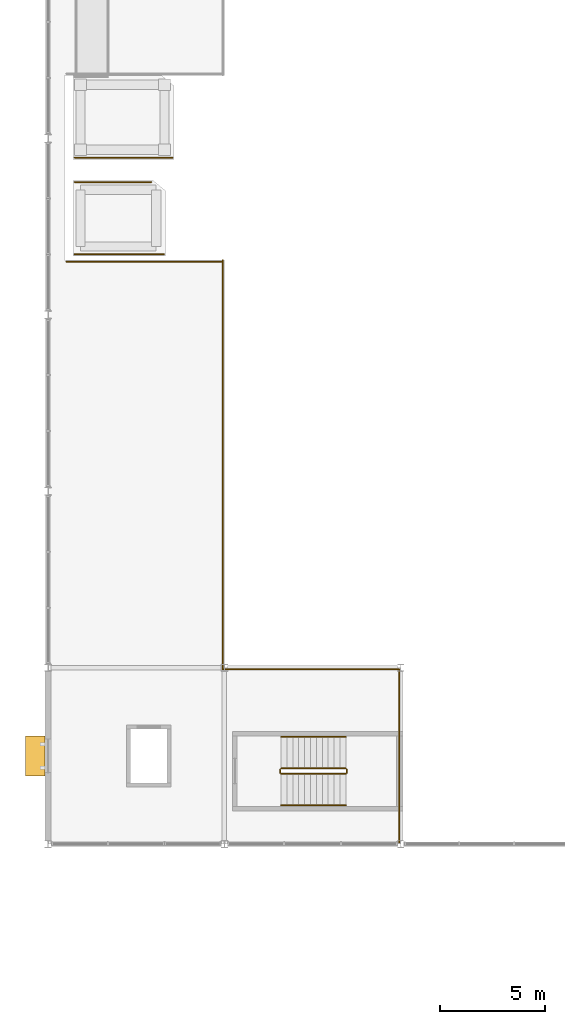
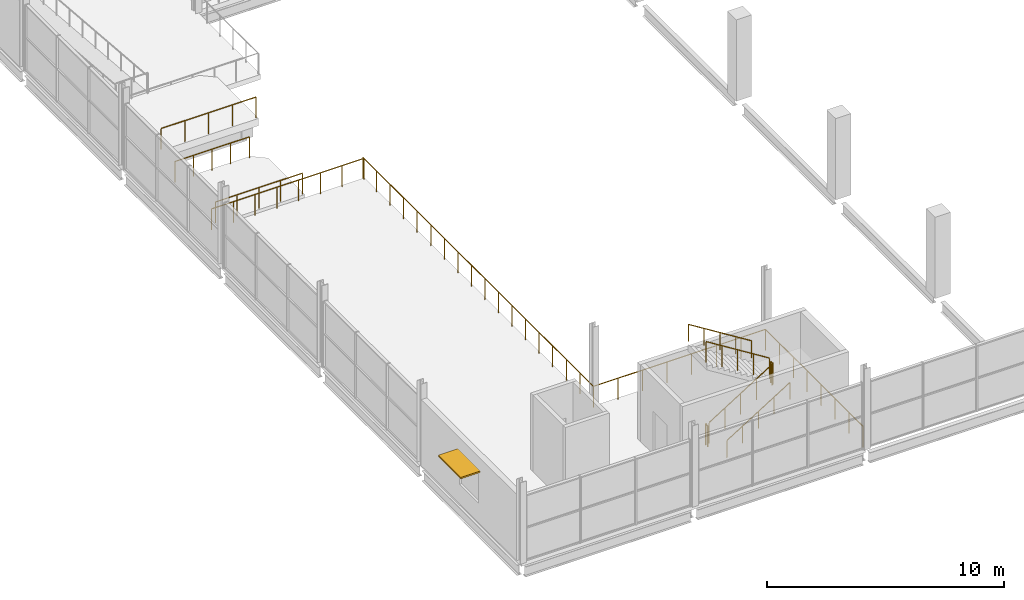
# One storey, part 86 of 93: 13 railings, 1 shading device.
"""IFC4 building model written with IfcOpenShell, lengths in metres."""

from ifc_helpers import new_model, si_unit, direction, frame, origin, origin_2d, place, context, subcontext, project, spatial, rectangle, circle, extrude, material, layer, layer_set, type_object, element, save


model = new_model("IFC4")

# Units and contexts
model_context = context("Model", 3, precision=1e-05, world=origin(), true_north=direction((0.0, 1.0)))
body_context = subcontext(model_context, "Body", "Model", "MODEL_VIEW")
ifc_project = project(units=[si_unit("LENGTHUNIT", "METRE"), si_unit("AREAUNIT", "SQUARE_METRE"), si_unit("VOLUMEUNIT", "CUBIC_METRE"), si_unit("PLANEANGLEUNIT", "RADIAN"), si_unit("MASSUNIT", "GRAM", prefix="KILO"), si_unit("THERMODYNAMICTEMPERATUREUNIT", "KELVIN")], contexts=[model_context])

# Site, building, storey
site_placement = place(None, origin())
site = spatial("IfcSite", under=ifc_project, at=site_placement, CompositionType="ELEMENT")
building_placement = place(site_placement, origin())
building = spatial("IfcBuilding", under=site, at=building_placement, Name="Nduvali Passage Aquatics Centre", CompositionType="ELEMENT")
storey_placement = place(building_placement, frame((0.0, 0.0, 9.0)))
storey = spatial("IfcBuildingStorey", under=building, at=storey_placement, Name="L02", CompositionType="ELEMENT", Elevation=9.0)

# Shading device
ifc_material_1 = material(Name="Aluminium EN AW-6063 T6", Category="aluminium")
ifc_layer = layer(ifc_material_1, 0.080078125, Name="Aluminium EN AW-6063 T6")
ifc_layer_set = layer_set([ifc_layer], Name="Aluminium EN AW-6063 T6")
shading_device_type = type_object("IfcShadingDeviceType", Name="ENV-SHD-SUN2", PredefinedType="AWNING", material=ifc_layer_set)
shading_device_placement = place(storey_placement, frame((-0.60498046875, 37.800048828125, 2.659912109375), z_axis=(0.0, 0.0, 1.0), x_axis=(0.0, -1.0, 0.0)))
element("IfcShadingDevice", 1, at=shading_device_placement, inside=storey, type_object=shading_device_type, Name="L02 Horizontal Monsoon Sunshade 0064", PredefinedType="AWNING", context=body_context, shape_type="SweptSolid", body=[
    extrude(rectangle(XDim=1.89990234375, YDim=0.949951171875, at=origin_2d()), origin(), (0.0, 0.0, 1.0), 0.080078125),
])

# Railings
ifc_material_2 = material(Name="Stainless steel balustrade", Category="steel")
railing_type_1 = type_object("IfcRailingType", Name="INT-RLG-GRD110", PredefinedType="GUARDRAIL", material=ifc_material_2)
railing_1_placement = place(storey_placement, frame((11.10009765625, 36.949951171875, 0.175048828125)))
element("IfcRailing", 2, at=railing_1_placement, inside=storey, type_object=railing_type_1, Name="L02 ST9 stair guard 1", PredefinedType="GUARDRAIL", context=body_context, shape_type="SweptSolid", body=[
    extrude(circle(Radius=0.02392578125, at=origin_2d()), frame((0.0, 0.0, 1.076171875), z_axis=(0.847979421464, 0.0, 0.530029150871), x_axis=(0.0, 1.0, 0.0)), (0.0, 0.0, 1.0), 3.632080078125),
    extrude(circle(Radius=0.02099609375, at=origin_2d()), origin(), (0.0, 0.0, 1.0), 1.052001953125),
    extrude(circle(Radius=0.02099609375, at=origin_2d()), frame((0.77001953125, 0.0, 0.481201171875)), (0.0, 0.0, 1.0), 1.052001953125),
    extrude(circle(Radius=0.02099609375, at=origin_2d()), frame((1.5400390625, 0.0, 0.96240234375)), (0.0, 0.0, 1.0), 1.052001953125),
    extrude(circle(Radius=0.02099609375, at=origin_2d()), frame((2.309814453125, 0.0, 1.44384765625)), (0.0, 0.0, 1.0), 1.052001953125),
    extrude(circle(Radius=0.02099609375, at=origin_2d()), frame((3.079833984375, 0.0, 1.925048828125)), (0.0, 0.0, 1.0), 1.052001953125),
])
railing_2_placement = place(storey_placement, frame((14.22998046875, 37.0, 2.10009765625)))
element("IfcRailing", 3, at=railing_2_placement, inside=storey, type_object=railing_type_1, Name="L02 ST9 stair guard 2", PredefinedType="GUARDRAIL", context=body_context, shape_type="SweptSolid", body=[
    extrude(circle(Radius=0.02392578125, at=origin_2d()), frame((0.0, 0.0, 1.076171875), z_axis=(0.0, 1.0, 0.0), x_axis=(-1.0, 0.0, 0.0)), (0.0, 0.0, 1.0), 0.14990234375),
    extrude(circle(Radius=0.02099609375, at=origin_2d()), origin(), (0.0, 0.0, 1.0), 1.052001953125),
    extrude(circle(Radius=0.02099609375, at=origin_2d()), frame((0.0, 0.14990234375, 0.0)), (0.0, 0.0, 1.0), 1.052001953125),
])
railing_3_placement = place(storey_placement, frame((14.179931640625, 37.199951171875, 2.27490234375)))
element("IfcRailing", 4, at=railing_3_placement, inside=storey, type_object=railing_type_1, Name="L02 ST9 stair guard 3", PredefinedType="GUARDRAIL", context=body_context, shape_type="SweptSolid", body=[
    extrude(circle(Radius=0.02392578125, at=origin_2d()), frame((0.0, 0.0, 1.076171875), z_axis=(-0.847979421464, 0.0, 0.530029150871), x_axis=(0.0, -1.0, 0.0)), (0.0, 0.0, 1.0), 3.632080078125),
    extrude(circle(Radius=0.02099609375, at=origin_2d()), origin(), (0.0, 0.0, 1.0), 1.052001953125),
    extrude(circle(Radius=0.02099609375, at=origin_2d()), frame((-0.77001953125, 0.0, 0.481201171875)), (0.0, 0.0, 1.0), 1.052001953125),
    extrude(circle(Radius=0.02099609375, at=origin_2d()), frame((-1.5400390625, 0.0, 0.96240234375)), (0.0, 0.0, 1.0), 1.052001953125),
    extrude(circle(Radius=0.02099609375, at=origin_2d()), frame((-2.309814453125, 0.0, 1.44384765625)), (0.0, 0.0, 1.0), 1.052001953125),
    extrude(circle(Radius=0.02099609375, at=origin_2d()), frame((-3.079833984375, 0.0, 1.925048828125)), (0.0, 0.0, 1.0), 1.052001953125),
])
railing_4_placement = place(storey_placement, frame((11.050048828125, 37.0, 0.0)))
element("IfcRailing", 5, at=railing_4_placement, inside=storey, type_object=railing_type_1, Name="L02 ST9 stair guard 4", PredefinedType="GUARDRAIL", context=body_context, shape_type="SweptSolid", body=[
    extrude(circle(Radius=0.02392578125, at=origin_2d()), frame((0.0, 0.0, 1.076171875), z_axis=(0.0, 1.0, 0.0), x_axis=(-1.0, 0.0, 0.0)), (0.0, 0.0, 1.0), 0.14990234375),
    extrude(circle(Radius=0.02099609375, at=origin_2d()), origin(), (0.0, 0.0, 1.0), 1.052001953125),
    extrude(circle(Radius=0.02099609375, at=origin_2d()), frame((0.0, 0.14990234375, 0.0)), (0.0, 0.0, 1.0), 1.052001953125),
])
railing_5_placement = place(storey_placement, frame((0.8798828125, 61.320068359375, 0.0)))
element("IfcRailing", 6, at=railing_5_placement, inside=storey, type_object=railing_type_1, Name="L02 Diving Gallery Cutout South Guard", PredefinedType="GUARDRAIL", context=body_context, shape_type="SweptSolid", body=[
    extrude(circle(Radius=0.02392578125, at=origin_2d()), frame((0.0, 0.0, 1.076171875), z_axis=(1.0, 0.0, 0.0), x_axis=(0.0, 1.0, 0.0)), (0.0, 0.0, 1.0), 7.440185546875),
    extrude(circle(Radius=0.02099609375, at=origin_2d()), origin(), (0.0, 0.0, 1.0), 1.052001953125),
    extrude(circle(Radius=0.02099609375, at=origin_2d()), frame((1.06298828125, 0.0, 0.0)), (0.0, 0.0, 1.0), 1.052001953125),
    extrude(circle(Radius=0.02099609375, at=origin_2d()), frame((2.125732421875, 0.0, 0.0)), (0.0, 0.0, 1.0), 1.052001953125),
    extrude(circle(Radius=0.02099609375, at=origin_2d()), frame((3.188720703125, 0.0, 0.0)), (0.0, 0.0, 1.0), 1.052001953125),
    extrude(circle(Radius=0.02099609375, at=origin_2d()), frame((4.25146484375, 0.0, 0.0)), (0.0, 0.0, 1.0), 1.052001953125),
    extrude(circle(Radius=0.02099609375, at=origin_2d()), frame((5.314453125, 0.0, 0.0)), (0.0, 0.0, 1.0), 1.052001953125),
    extrude(circle(Radius=0.02099609375, at=origin_2d()), frame((6.377197265625, 0.0, 0.0)), (0.0, 0.0, 1.0), 1.052001953125),
    extrude(circle(Radius=0.02099609375, at=origin_2d()), frame((7.440185546875, 0.0, 0.0)), (0.0, 0.0, 1.0), 1.052001953125),
])
railing_6_placement = place(storey_placement, frame((8.320068359375, 41.919921875, 0.0)))
element("IfcRailing", 7, at=railing_6_placement, inside=storey, type_object=railing_type_1, Name="L02 Diving Gallery South Balustrade", PredefinedType="GUARDRAIL", context=body_context, shape_type="SweptSolid", body=[
    extrude(circle(Radius=0.02392578125, at=origin_2d()), frame((0.0, 0.0, 1.076171875), z_axis=(0.0, 1.0, 0.0), x_axis=(-1.0, 0.0, 0.0)), (0.0, 0.0, 1.0), 19.47998046875),
    extrude(circle(Radius=0.02099609375, at=origin_2d()), origin(), (0.0, 0.0, 1.0), 1.052001953125),
    extrude(circle(Radius=0.02099609375, at=origin_2d()), frame((0.0, 1.14599609375, 0.0)), (0.0, 0.0, 1.0), 1.052001953125),
    extrude(circle(Radius=0.02099609375, at=origin_2d()), frame((0.0, 2.291748046875, 0.0)), (0.0, 0.0, 1.0), 1.052001953125),
    extrude(circle(Radius=0.02099609375, at=origin_2d()), frame((0.0, 3.437744140625, 0.0)), (0.0, 0.0, 1.0), 1.052001953125),
    extrude(circle(Radius=0.02099609375, at=origin_2d()), frame((0.0, 4.58349609375, 0.0)), (0.0, 0.0, 1.0), 1.052001953125),
    extrude(circle(Radius=0.02099609375, at=origin_2d()), frame((0.0, 5.7294921875, 0.0)), (0.0, 0.0, 1.0), 1.052001953125),
    extrude(circle(Radius=0.02099609375, at=origin_2d()), frame((0.0, 6.875244140625, 0.0)), (0.0, 0.0, 1.0), 1.052001953125),
    extrude(circle(Radius=0.02099609375, at=origin_2d()), frame((0.0, 8.021240234375, 0.0)), (0.0, 0.0, 1.0), 1.052001953125),
    extrude(circle(Radius=0.02099609375, at=origin_2d()), frame((0.0, 9.1669921875, 0.0)), (0.0, 0.0, 1.0), 1.052001953125),
    extrude(circle(Radius=0.02099609375, at=origin_2d()), frame((0.0, 10.31298828125, 0.0)), (0.0, 0.0, 1.0), 1.052001953125),
    extrude(circle(Radius=0.02099609375, at=origin_2d()), frame((0.0, 11.458740234375, 0.0)), (0.0, 0.0, 1.0), 1.052001953125),
    extrude(circle(Radius=0.02099609375, at=origin_2d()), frame((0.0, 12.604736328125, 0.0)), (0.0, 0.0, 1.0), 1.052001953125),
    extrude(circle(Radius=0.02099609375, at=origin_2d()), frame((0.0, 13.75048828125, 0.0)), (0.0, 0.0, 1.0), 1.052001953125),
    extrude(circle(Radius=0.02099609375, at=origin_2d()), frame((0.0, 14.896484375, 0.0)), (0.0, 0.0, 1.0), 1.052001953125),
    extrude(circle(Radius=0.02099609375, at=origin_2d()), frame((0.0, 16.042236328125, 0.0)), (0.0, 0.0, 1.0), 1.052001953125),
    extrude(circle(Radius=0.02099609375, at=origin_2d()), frame((0.0, 17.188232421875, 0.0)), (0.0, 0.0, 1.0), 1.052001953125),
    extrude(circle(Radius=0.02099609375, at=origin_2d()), frame((0.0, 18.333984375, 0.0)), (0.0, 0.0, 1.0), 1.052001953125),
    extrude(circle(Radius=0.02099609375, at=origin_2d()), frame((0.0, 19.47998046875, 0.0)), (0.0, 0.0, 1.0), 1.052001953125),
])
railing_7_placement = place(storey_placement, frame((8.320068359375, 41.919921875, 0.0)))
element("IfcRailing", 8, at=railing_7_placement, inside=storey, type_object=railing_type_1, Name="L02 Diving South Wing Balustrade", PredefinedType="GUARDRAIL", context=body_context, shape_type="SweptSolid", body=[
    extrude(circle(Radius=0.02392578125, at=origin_2d()), frame((0.0, 0.0, 1.076171875), z_axis=(1.0, 0.0, 0.0), x_axis=(0.0, 1.0, 0.0)), (0.0, 0.0, 1.0), 8.39990234375),
    extrude(circle(Radius=0.02099609375, at=origin_2d()), origin(), (0.0, 0.0, 1.0), 1.052001953125),
    extrude(circle(Radius=0.02099609375, at=origin_2d()), frame((1.199951171875, 0.0, 0.0)), (0.0, 0.0, 1.0), 1.052001953125),
    extrude(circle(Radius=0.02099609375, at=origin_2d()), frame((2.39990234375, 0.0, 0.0)), (0.0, 0.0, 1.0), 1.052001953125),
    extrude(circle(Radius=0.02099609375, at=origin_2d()), frame((3.599853515625, 0.0, 0.0)), (0.0, 0.0, 1.0), 1.052001953125),
    extrude(circle(Radius=0.02099609375, at=origin_2d()), frame((4.800048828125, 0.0, 0.0)), (0.0, 0.0, 1.0), 1.052001953125),
    extrude(circle(Radius=0.02099609375, at=origin_2d()), frame((6.0, 0.0, 0.0)), (0.0, 0.0, 1.0), 1.052001953125),
    extrude(circle(Radius=0.02099609375, at=origin_2d()), frame((7.199951171875, 0.0, 0.0)), (0.0, 0.0, 1.0), 1.052001953125),
    extrude(circle(Radius=0.02099609375, at=origin_2d()), frame((8.39990234375, 0.0, 0.0)), (0.0, 0.0, 1.0), 1.052001953125),
])
railing_8_placement = place(storey_placement, frame((16.719970703125, 33.679931640625, 0.0)))
element("IfcRailing", 9, at=railing_8_placement, inside=storey, type_object=railing_type_1, Name="L02 Diving South-East Gallery End Guard", PredefinedType="GUARDRAIL", context=body_context, shape_type="SweptSolid", body=[
    extrude(circle(Radius=0.02392578125, at=origin_2d()), frame((0.0, 0.0, 1.076171875), z_axis=(0.0, 1.0, 0.0), x_axis=(-1.0, 0.0, 0.0)), (0.0, 0.0, 1.0), 8.239990234375),
    extrude(circle(Radius=0.02099609375, at=origin_2d()), origin(), (0.0, 0.0, 1.0), 1.052001953125),
    extrude(circle(Radius=0.02099609375, at=origin_2d()), frame((0.0, 1.17724609375, 0.0)), (0.0, 0.0, 1.0), 1.052001953125),
    extrude(circle(Radius=0.02099609375, at=origin_2d()), frame((0.0, 2.354248046875, 0.0)), (0.0, 0.0, 1.0), 1.052001953125),
    extrude(circle(Radius=0.02099609375, at=origin_2d()), frame((0.0, 3.531494140625, 0.0)), (0.0, 0.0, 1.0), 1.052001953125),
    extrude(circle(Radius=0.02099609375, at=origin_2d()), frame((0.0, 4.70849609375, 0.0)), (0.0, 0.0, 1.0), 1.052001953125),
    extrude(circle(Radius=0.02099609375, at=origin_2d()), frame((0.0, 5.8857421875, 0.0)), (0.0, 0.0, 1.0), 1.052001953125),
    extrude(circle(Radius=0.02099609375, at=origin_2d()), frame((0.0, 7.062744140625, 0.0)), (0.0, 0.0, 1.0), 1.052001953125),
    extrude(circle(Radius=0.02099609375, at=origin_2d()), frame((0.0, 8.239990234375, 0.0)), (0.0, 0.0, 1.0), 1.052001953125),
])
railing_9_placement = place(storey_placement, frame((1.280029296875, 61.679931640625, 0.0)))
element("IfcRailing", 10, at=railing_9_placement, inside=storey, type_object=railing_type_1, Name="Diving 7.5m Platform South Guard", PredefinedType="GUARDRAIL", context=body_context, shape_type="SweptSolid", body=[
    extrude(circle(Radius=0.02392578125, at=origin_2d()), frame((0.0, 0.0, 1.076171875), z_axis=(1.0, 0.0, 0.0), x_axis=(0.0, 1.0, 0.0)), (0.0, 0.0, 1.0), 4.239990234375),
    extrude(circle(Radius=0.02099609375, at=origin_2d()), origin(), (0.0, 0.0, 1.0), 1.052001953125),
    extrude(circle(Radius=0.02099609375, at=origin_2d()), frame((1.06005859375, 0.0, 0.0)), (0.0, 0.0, 1.0), 1.052001953125),
    extrude(circle(Radius=0.02099609375, at=origin_2d()), frame((2.1201171875, 0.0, 0.0)), (0.0, 0.0, 1.0), 1.052001953125),
    extrude(circle(Radius=0.02099609375, at=origin_2d()), frame((3.179931640625, 0.0, 0.0)), (0.0, 0.0, 1.0), 1.052001953125),
    extrude(circle(Radius=0.02099609375, at=origin_2d()), frame((4.239990234375, 0.0, 0.0)), (0.0, 0.0, 1.0), 1.052001953125),
])
railing_10_placement = place(storey_placement, frame((1.280029296875, 65.1201171875, 0.0)))
element("IfcRailing", 11, at=railing_10_placement, inside=storey, type_object=railing_type_1, Name="Diving 7.5m Platform North Guard", PredefinedType="GUARDRAIL", context=body_context, shape_type="SweptSolid", body=[
    extrude(circle(Radius=0.02392578125, at=origin_2d()), frame((0.0, 0.0, 1.076171875), z_axis=(1.0, 0.0, 0.0), x_axis=(0.0, 1.0, 0.0)), (0.0, 0.0, 1.0), 3.639892578125),
    extrude(circle(Radius=0.02099609375, at=origin_2d()), origin(), (0.0, 0.0, 1.0), 1.052001953125),
    extrude(circle(Radius=0.02099609375, at=origin_2d()), frame((0.909912109375, 0.0, 0.0)), (0.0, 0.0, 1.0), 1.052001953125),
    extrude(circle(Radius=0.02099609375, at=origin_2d()), frame((1.81982421875, 0.0, 0.0)), (0.0, 0.0, 1.0), 1.052001953125),
    extrude(circle(Radius=0.02099609375, at=origin_2d()), frame((2.72998046875, 0.0, 0.0)), (0.0, 0.0, 1.0), 1.052001953125),
    extrude(circle(Radius=0.02099609375, at=origin_2d()), frame((3.639892578125, 0.0, 0.0)), (0.0, 0.0, 1.0), 1.052001953125),
])
railing_11_placement = place(storey_placement, frame((1.280029296875, 66.280029296875, 1.0)))
element("IfcRailing", 12, at=railing_11_placement, inside=storey, type_object=railing_type_1, Name="Diving 10m Platform South Guard", PredefinedType="GUARDRAIL", context=body_context, shape_type="SweptSolid", body=[
    extrude(circle(Radius=0.02392578125, at=origin_2d()), frame((0.0, 0.0, 1.076171875), z_axis=(1.0, 0.0, 0.0), x_axis=(0.0, 1.0, 0.0)), (0.0, 0.0, 1.0), 4.639892578125),
    extrude(circle(Radius=0.02099609375, at=origin_2d()), origin(), (0.0, 0.0, 1.0), 1.052001953125),
    extrude(circle(Radius=0.02099609375, at=origin_2d()), frame((1.159912109375, 0.0, 0.0)), (0.0, 0.0, 1.0), 1.052001953125),
    extrude(circle(Radius=0.02099609375, at=origin_2d()), frame((2.31982421875, 0.0, 0.0)), (0.0, 0.0, 1.0), 1.052001953125),
    extrude(circle(Radius=0.02099609375, at=origin_2d()), frame((3.47998046875, 0.0, 0.0)), (0.0, 0.0, 1.0), 1.052001953125),
    extrude(circle(Radius=0.02099609375, at=origin_2d()), frame((4.639892578125, 0.0, 0.0)), (0.0, 0.0, 1.0), 1.052001953125),
])
railing_type_2 = type_object("IfcRailingType", Name="INT-RLG-HND90", PredefinedType="HANDRAIL", material=ifc_material_2)
railing_12_placement = place(storey_placement, frame((11.10009765625, 35.449951171875, 0.353759765625)))
element("IfcRailing", 13, at=railing_12_placement, inside=storey, type_object=railing_type_2, Name="L02 ST9 stair handrail 1", PredefinedType="HANDRAIL", context=body_context, shape_type="SweptSolid", body=[
    extrude(circle(Radius=0.02392578125, at=origin_2d()), frame((0.0, 0.0, 0.8759765625), z_axis=(0.848009633417, 0.0, 0.529980812513), x_axis=(0.0, 1.0, 0.0)), (0.0, 0.0, 1.0), 3.6318359375),
    extrude(circle(Radius=0.02099609375, at=origin_2d()), origin(), (0.0, 0.0, 1.0), 0.851806640625),
    extrude(circle(Radius=0.02099609375, at=origin_2d()), frame((0.77001953125, 0.0, 0.481201171875)), (0.0, 0.0, 1.0), 0.851806640625),
    extrude(circle(Radius=0.02099609375, at=origin_2d()), frame((1.5400390625, 0.0, 0.96240234375)), (0.0, 0.0, 1.0), 0.851806640625),
    extrude(circle(Radius=0.02099609375, at=origin_2d()), frame((2.309814453125, 0.0, 1.443603515625)), (0.0, 0.0, 1.0), 0.851806640625),
    extrude(circle(Radius=0.02099609375, at=origin_2d()), frame((3.079833984375, 0.0, 1.9248046875)), (0.0, 0.0, 1.0), 0.851806640625),
])
railing_13_placement = place(storey_placement, frame((14.179931640625, 38.699951171875, 2.45361328125)))
element("IfcRailing", 14, at=railing_13_placement, inside=storey, type_object=railing_type_2, Name="L02 ST9 stair handrail 2", PredefinedType="HANDRAIL", context=body_context, shape_type="SweptSolid", body=[
    extrude(circle(Radius=0.02392578125, at=origin_2d()), frame((0.0, 0.0, 0.8759765625), z_axis=(-0.847979421464, 0.0, 0.530029150871), x_axis=(0.0, -1.0, 0.0)), (0.0, 0.0, 1.0), 3.632080078125),
    extrude(circle(Radius=0.02099609375, at=origin_2d()), origin(), (0.0, 0.0, 1.0), 0.851806640625),
    extrude(circle(Radius=0.02099609375, at=origin_2d()), frame((-0.77001953125, 0.0, 0.481201171875)), (0.0, 0.0, 1.0), 0.851806640625),
    extrude(circle(Radius=0.02099609375, at=origin_2d()), frame((-1.5400390625, 0.0, 0.96240234375)), (0.0, 0.0, 1.0), 0.851806640625),
    extrude(circle(Radius=0.02099609375, at=origin_2d()), frame((-2.309814453125, 0.0, 1.44384765625)), (0.0, 0.0, 1.0), 0.851806640625),
    extrude(circle(Radius=0.02099609375, at=origin_2d()), frame((-3.079833984375, 0.0, 1.925048828125)), (0.0, 0.0, 1.0), 0.851806640625),
])

save(model, "model.ifc")
